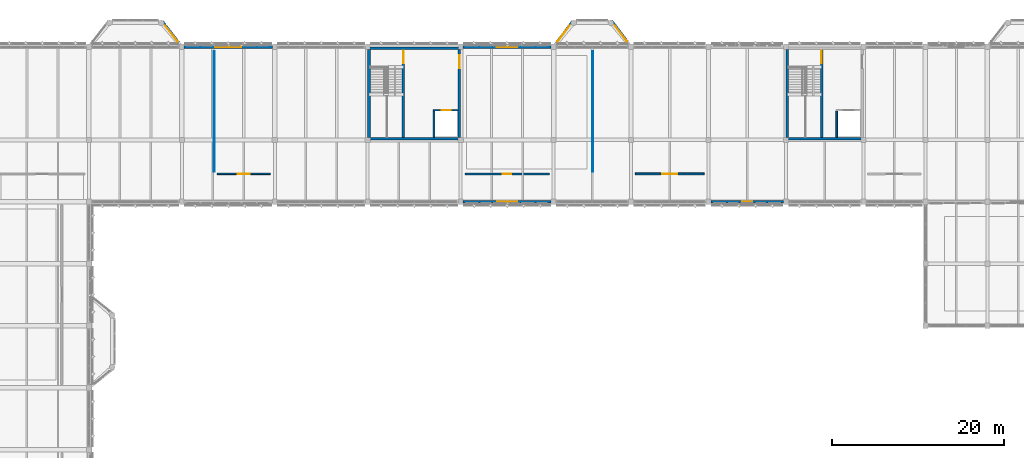
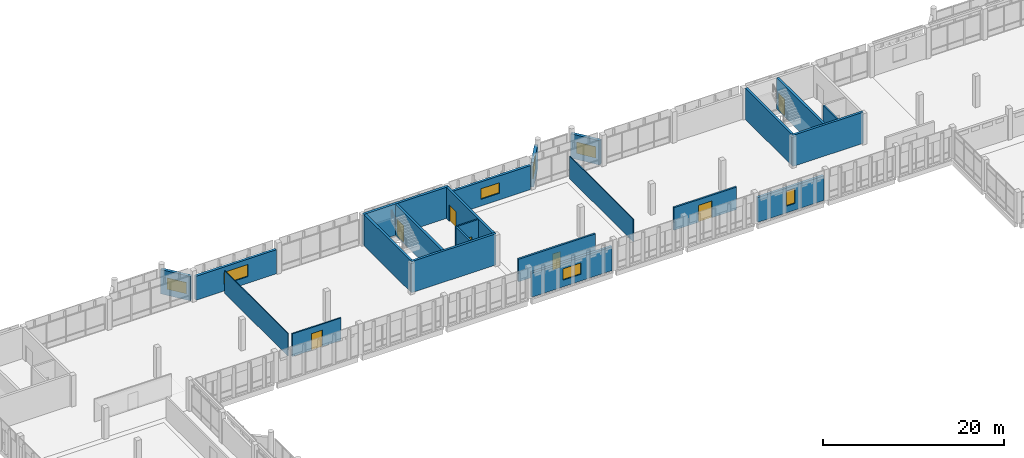
# One storey, part 134 of 158: 23 walls, 7 doors, 7 windows, 14 openings.
"""IFC4 building model written with IfcOpenShell, lengths in metres."""

from ifc_helpers import new_model, si_unit, direction, frame, frame_2d, origin, place, context, subcontext, project, spatial, rectangle, extrude, material, layer, layer_set, type_object, element, fill, save


model = new_model("IFC4")

# Units and contexts
model_context = context("Model", 3, precision=1e-05, world=origin(), true_north=direction((0.0, 1.0)))
body_context = subcontext(model_context, "Body", "Model", "MODEL_VIEW")
ifc_project = project(units=[si_unit("LENGTHUNIT", "METRE"), si_unit("AREAUNIT", "SQUARE_METRE"), si_unit("VOLUMEUNIT", "CUBIC_METRE"), si_unit("PLANEANGLEUNIT", "RADIAN"), si_unit("MASSUNIT", "GRAM", prefix="KILO")], contexts=[model_context])

# Site, building, storey
site_placement = place(None, origin())
site = spatial("IfcSite", under=ifc_project, at=site_placement, CompositionType="ELEMENT")
building_placement = place(site_placement, origin())
building = spatial("IfcBuilding", under=site, at=building_placement, Name="Lusvemor Sports Hall", CompositionType="ELEMENT")
storey_placement = place(building_placement, frame((0.0, 0.0, 10.800048828125)))
storey = spatial("IfcBuildingStorey", under=building, at=storey_placement, Name="L02", CompositionType="ELEMENT", Elevation=10.800048828125)

# Wall, opening, window
ifc_material_1 = material(Name="Emerald polychrome glazed ceramic cladding on Concrete C40/50 backing", Category="concrete")
ifc_layer_1 = layer(ifc_material_1, 0.364990234375)
ifc_layer_set_1 = layer_set([ifc_layer_1], Name="Emerald polychrome glazed ceramic cladding on Concrete C40/50 backing")
wall_type_1 = type_object("IfcWallType", Name="EW_WAVE_CER_365", PredefinedType="STANDARD", material=ifc_layer_set_1)
wall_1_placement = place(storey_placement, frame((30.073486328125, 118.205078125, 0.0), z_axis=(0.0, 0.0, 1.0), x_axis=(0.612206385164, -0.790698009334, 0.0)))
wall_1 = element("IfcWall", 1, at=wall_1_placement, inside=storey, type_object=wall_type_1, Name="Art Nouveau Bow Wall EW-BOW-N1-L02-3", PredefinedType="STANDARD", context=body_context, shape_type="SweptSolid", body=[
    extrude(rectangle(XDim=3.560302734375, YDim=0.364990234375, at=frame_2d((1.7802734375, 0.0))), origin(), (0.0, 0.0, 1.0), 3.280029296875),
])
opening_1_placement = place(wall_1_placement, frame((0.679931640625, 0.0, 0.699951171875)))
opening_1 = element("IfcOpeningElement", 2, at=opening_1_placement, cuts=wall_1, Name="Opening WN21", PredefinedType="OPENING", context=body_context, shape_type="SweptSolid", body=[
    extrude(rectangle(XDim=2.320068359375, YDim=1.52001953125, at=frame_2d((1.16015625, 0.760009765625))), frame((0.0, 0.1826171875, 0.0), z_axis=(0.0, -1.0, 0.0), x_axis=(1.0, 0.0, 0.0)), (0.0, 0.0, 1.0), 0.364990234375),
])
ifc_material_2 = material(Name="Solar-control laminated double glazing", Category="glass")
window_type_1 = type_object("IfcWindowType", Name="WIN_21", PartitioningType="SINGLE_PANEL", PredefinedType="WINDOW", material=ifc_material_2)
window_1_placement = place(opening_1_placement, origin())
window_1 = element("IfcWindow", 3, at=window_1_placement, inside=storey, type_object=window_type_1, Name="Art Nouveau Bow Window BOW-N1 L02-3", OverallHeight=1.52001953125, OverallWidth=2.320068359375, PartitioningType="SINGLE_PANEL", PredefinedType="WINDOW", context=body_context, shape_type="SweptSolid", body=[
    extrude(rectangle(XDim=2.320068359375, YDim=1.52001953125, at=frame_2d((1.16015625, 0.760009765625))), frame((0.0, 0.030029296875, 0.0), z_axis=(0.0, -1.0, 0.0), x_axis=(1.0, 0.0, 0.0)), (0.0, 0.0, 1.0), 0.06005859375),
])
fill(opening_1, window_1)

wall_2_placement = place(storey_placement, frame((75.74462890625, 115.3916015625, 0.0), z_axis=(0.0, 0.0, 1.0), x_axis=(0.60248019286, 0.798133834148, 0.0)))
wall_2 = element("IfcWall", 4, at=wall_2_placement, inside=storey, type_object=wall_type_1, Name="Art Nouveau Bow Wall EW-BOW-N2-L02-1", PredefinedType="STANDARD", context=body_context, shape_type="SweptSolid", body=[
    extrude(rectangle(XDim=3.52392578125, YDim=0.364990234375, at=frame_2d((1.761962890625, 0.0))), origin(), (0.0, 0.0, 1.0), 3.280029296875),
])
opening_2_placement = place(wall_2_placement, frame((0.5419921875, 0.0, 0.699951171875)))
opening_2 = element("IfcOpeningElement", 5, at=opening_2_placement, cuts=wall_2, Name="Opening WN21", PredefinedType="OPENING", context=body_context, shape_type="SweptSolid", body=[
    extrude(rectangle(XDim=2.320068359375, YDim=1.52001953125, at=frame_2d((1.16015625, 0.760009765625))), frame((0.0, 0.1826171875, 0.0), z_axis=(0.0, -1.0, 0.0), x_axis=(1.0, 0.0, 0.0)), (0.0, 0.0, 1.0), 0.364990234375),
])
window_2_placement = place(opening_2_placement, origin())
window_2 = element("IfcWindow", 6, at=window_2_placement, inside=storey, type_object=window_type_1, Name="Art Nouveau Bow Window BOW-N2 L02-1", OverallHeight=1.52001953125, OverallWidth=2.320068359375, PartitioningType="SINGLE_PANEL", PredefinedType="WINDOW", context=body_context, shape_type="SweptSolid", body=[
    extrude(rectangle(XDim=2.320068359375, YDim=1.52001953125, at=frame_2d((1.16015625, 0.760009765625))), frame((0.0, 0.030029296875, 0.0), z_axis=(0.0, -1.0, 0.0), x_axis=(1.0, 0.0, 0.0)), (0.0, 0.0, 1.0), 0.06005859375),
])
fill(opening_2, window_2)

wall_3_placement = place(storey_placement, frame((82.332275390625, 118.2041015625, 0.0), z_axis=(0.0, 0.0, 1.0), x_axis=(0.60248019286, -0.798133834148, 0.0)))
wall_3 = element("IfcWall", 7, at=wall_3_placement, inside=storey, type_object=wall_type_1, Name="Art Nouveau Bow Wall EW-BOW-N2-L02-3", PredefinedType="STANDARD", context=body_context, shape_type="SweptSolid", body=[
    extrude(rectangle(XDim=3.52392578125, YDim=0.364990234375, at=frame_2d((1.761962890625, 0.0))), origin(), (0.0, 0.0, 1.0), 3.280029296875),
])
opening_3_placement = place(wall_3_placement, frame((0.662109375, 0.0, 0.699951171875)))
opening_3 = element("IfcOpeningElement", 8, at=opening_3_placement, cuts=wall_3, Name="Opening WN21", PredefinedType="OPENING", context=body_context, shape_type="SweptSolid", body=[
    extrude(rectangle(XDim=2.320068359375, YDim=1.52001953125, at=frame_2d((1.16015625, 0.760009765625))), frame((0.0, 0.1826171875, 0.0), z_axis=(0.0, -1.0, 0.0), x_axis=(1.0, 0.0, 0.0)), (0.0, 0.0, 1.0), 0.364990234375),
])
window_3_placement = place(opening_3_placement, origin())
window_3 = element("IfcWindow", 9, at=window_3_placement, inside=storey, type_object=window_type_1, Name="Art Nouveau Bow Window BOW-N2 L02-3", OverallHeight=1.52001953125, OverallWidth=2.320068359375, PartitioningType="SINGLE_PANEL", PredefinedType="WINDOW", context=body_context, shape_type="SweptSolid", body=[
    extrude(rectangle(XDim=2.320068359375, YDim=1.52001953125, at=frame_2d((1.16015625, 0.760009765625))), frame((0.0, 0.030029296875, 0.0), z_axis=(0.0, -1.0, 0.0), x_axis=(1.0, 0.0, 0.0)), (0.0, 0.0, 1.0), 0.06005859375),
])
fill(opening_3, window_3)

ifc_material_3 = material(Name="Warm terracotta Art Nouveau ceramic cladding on Concrete C40/50 backing", Category="masonry")
ifc_layer_2 = layer(ifc_material_3, 0.31494140625)
ifc_layer_set_2 = layer_set([ifc_layer_2], Name="Warm terracotta Art Nouveau ceramic cladding on Concrete C40/50 backing")
wall_type_2 = type_object("IfcWallType", Name="EW_WING_CAV_315", PredefinedType="STANDARD", material=ifc_layer_set_2)
wall_4_placement = place(storey_placement, frame((32.676025390625, 115.199951171875, 0.0), z_axis=(0.0, 0.0, 1.0), x_axis=(1.0, 0.0, 0.0)))
wall_4 = element("IfcWall", 10, at=wall_4_placement, inside=storey, type_object=wall_type_2, Name="Exterior Wall EW-L02-N-1-3", PredefinedType="STANDARD", context=body_context, shape_type="SweptSolid", body=[
    extrude(rectangle(XDim=10.248046875, YDim=0.31494140625, at=frame_2d((5.1240234375, 0.0))), origin(), (0.0, 0.0, 1.0), 3.244873046875),
])
opening_4_placement = place(wall_4_placement, frame((3.59912109375, 0.0, 0.89990234375)))
opening_4 = element("IfcOpeningElement", 11, at=opening_4_placement, cuts=wall_4, Name="Opening WN16", PredefinedType="OPENING", context=body_context, shape_type="SweptSolid", body=[
    extrude(rectangle(XDim=3.050048828125, YDim=1.6201171875, at=frame_2d((1.52490234375, 0.81005859375))), frame((0.0, 0.157470703125, 0.0), z_axis=(0.0, -1.0, 0.0), x_axis=(1.0, 0.0, 0.0)), (0.0, 0.0, 1.0), 0.31494140625),
])
ifc_material_4 = material(Name="Solar-control laminated double glazing", Category="glass")
window_type_2 = type_object("IfcWindowType", Name="WIN_16", PartitioningType="SINGLE_PANEL", PredefinedType="WINDOW", material=ifc_material_4)
window_4_placement = place(opening_4_placement, origin())
window_4 = element("IfcWindow", 12, at=window_4_placement, inside=storey, type_object=window_type_2, Name="Wing Window L02-N-1-3", OverallHeight=1.6201171875, OverallWidth=3.050048828125, PartitioningType="SINGLE_PANEL", PredefinedType="WINDOW", context=body_context, shape_type="SweptSolid", body=[
    extrude(rectangle(XDim=3.050048828125, YDim=1.6201171875, at=frame_2d((1.52490234375, 0.81005859375))), frame((0.0, 0.030029296875, 0.0), z_axis=(0.0, -1.0, 0.0), x_axis=(1.0, 0.0, 0.0)), (0.0, 0.0, 1.0), 0.06005859375),
])
fill(opening_4, window_4)

wall_5_placement = place(storey_placement, frame((65.075927734375, 115.199951171875, 0.0), z_axis=(0.0, 0.0, 1.0), x_axis=(1.0, 0.0, 0.0)))
wall_5 = element("IfcWall", 13, at=wall_5_placement, inside=storey, type_object=wall_type_2, Name="Exterior Wall EW-L02-N-1-6", PredefinedType="STANDARD", context=body_context, shape_type="SweptSolid", body=[
    extrude(rectangle(XDim=10.248046875, YDim=0.31494140625, at=frame_2d((5.1240234375, 0.0))), origin(), (0.0, 0.0, 1.0), 3.244873046875),
])
opening_5_placement = place(wall_5_placement, frame((3.93408203125, 0.0, 0.89990234375)))
opening_5 = element("IfcOpeningElement", 14, at=opening_5_placement, cuts=wall_5, Name="Opening WN19", PredefinedType="OPENING", context=body_context, shape_type="SweptSolid", body=[
    extrude(rectangle(XDim=2.3798828125, YDim=1.419921875, at=frame_2d((1.18994140625, 0.7099609375))), frame((0.0, 0.157470703125, 0.0), z_axis=(0.0, -1.0, 0.0), x_axis=(1.0, 0.0, 0.0)), (0.0, 0.0, 1.0), 0.31494140625),
])
ifc_material_5 = material(Name="Solar-control laminated double glazing", Category="glass")
window_type_3 = type_object("IfcWindowType", Name="WIN_19", PartitioningType="SINGLE_PANEL", PredefinedType="WINDOW", material=ifc_material_5)
window_5_placement = place(opening_5_placement, origin())
window_5 = element("IfcWindow", 15, at=window_5_placement, inside=storey, type_object=window_type_3, Name="Wing Window L02-N-1-6", OverallHeight=1.419921875, OverallWidth=2.3798828125, PartitioningType="SINGLE_PANEL", PredefinedType="WINDOW", context=body_context, shape_type="SweptSolid", body=[
    extrude(rectangle(XDim=2.3798828125, YDim=1.419921875, at=frame_2d((1.18994140625, 0.7099609375))), frame((0.0, 0.030029296875, 0.0), z_axis=(0.0, -1.0, 0.0), x_axis=(1.0, 0.0, 0.0)), (0.0, 0.0, 1.0), 0.06005859375),
])
fill(opening_5, window_5)

wall_6_placement = place(storey_placement, frame((75.323974609375, 97.199951171875, 0.0), z_axis=(0.0, 0.0, 1.0), x_axis=(-1.0, 0.0, 0.0)))
wall_6 = element("IfcWall", 16, at=wall_6_placement, inside=storey, type_object=wall_type_2, Name="Exterior Wall EW-L02-S-3-4", PredefinedType="STANDARD", context=body_context, shape_type="SweptSolid", body=[
    extrude(rectangle(XDim=10.248046875, YDim=0.31494140625, at=frame_2d((5.1240234375, 0.0))), origin(), (0.0, 0.0, 1.0), 3.244873046875),
])
opening_6_placement = place(wall_6_placement, frame((3.964111328125, 0.0, 0.89990234375)))
opening_6 = element("IfcOpeningElement", 17, at=opening_6_placement, cuts=wall_6, Name="Opening WN21", PredefinedType="OPENING", context=body_context, shape_type="SweptSolid", body=[
    extrude(rectangle(XDim=2.320068359375, YDim=1.52001953125, at=frame_2d((1.16015625, 0.760009765625))), frame((0.0, 0.157470703125, 0.0), z_axis=(0.0, -1.0, 0.0), x_axis=(1.0, 0.0, 0.0)), (0.0, 0.0, 1.0), 0.31494140625),
])
window_6_placement = place(opening_6_placement, origin())
window_6 = element("IfcWindow", 18, at=window_6_placement, inside=storey, type_object=window_type_1, Name="Wing Window L02-S-3-4", OverallHeight=1.52001953125, OverallWidth=2.320068359375, PartitioningType="SINGLE_PANEL", PredefinedType="WINDOW", context=body_context, shape_type="SweptSolid", body=[
    extrude(rectangle(XDim=2.320068359375, YDim=1.52001953125, at=frame_2d((1.16015625, 0.760009765625))), frame((0.0, 0.030029296875, 0.0), z_axis=(0.0, -1.0, 0.0), x_axis=(1.0, 0.0, 0.0)), (0.0, 0.0, 1.0), 0.06005859375),
])
fill(opening_6, window_6)

wall_7_placement = place(storey_placement, frame((102.323974609375, 97.199951171875, 0.0), z_axis=(0.0, 0.0, 1.0), x_axis=(-1.0, 0.0, 0.0)))
wall_7 = element("IfcWall", 19, at=wall_7_placement, inside=storey, type_object=wall_type_2, Name="Exterior Wall EW-L02-S-3-7", PredefinedType="STANDARD", context=body_context, shape_type="SweptSolid", body=[
    extrude(rectangle(XDim=8.447998046875, YDim=0.31494140625, at=frame_2d((4.22412109375, 0.0))), origin(), (0.0, 0.0, 1.0), 3.3349609375),
])
opening_7_placement = place(wall_7_placement, frame((3.6640625, 0.0, 0.89990234375)))
opening_7 = element("IfcOpeningElement", 20, at=opening_7_placement, cuts=wall_7, Name="Opening WN24", PredefinedType="OPENING", context=body_context, shape_type="SweptSolid", body=[
    extrude(rectangle(XDim=1.1201171875, YDim=2.02001953125, at=frame_2d((0.56005859375, 1.010009765625))), frame((0.0, 0.157470703125, 0.0), z_axis=(0.0, -1.0, 0.0), x_axis=(1.0, 0.0, 0.0)), (0.0, 0.0, 1.0), 0.31494140625),
])
ifc_material_6 = material(Name="Solar-control laminated double glazing", Category="glass")
window_type_4 = type_object("IfcWindowType", Name="WIN_24", PartitioningType="SINGLE_PANEL", PredefinedType="WINDOW", material=ifc_material_6)
window_7_placement = place(opening_7_placement, origin())
window_7 = element("IfcWindow", 21, at=window_7_placement, inside=storey, type_object=window_type_4, Name="Wing Window L02-S-3-7", OverallHeight=2.02001953125, OverallWidth=1.1201171875, PartitioningType="SINGLE_PANEL", PredefinedType="WINDOW", context=body_context, shape_type="SweptSolid", body=[
    extrude(rectangle(XDim=1.1201171875, YDim=2.02001953125, at=frame_2d((0.56005859375, 1.010009765625))), frame((0.0, 0.030029296875, 0.0), z_axis=(0.0, -1.0, 0.0), x_axis=(1.0, 0.0, 0.0)), (0.0, 0.0, 1.0), 0.06005859375),
])
fill(opening_7, window_7)

# Wall, opening, door
ifc_material_7 = material(Name="Plastered ceramic masonry blockwork", Category="masonry")
ifc_layer_3 = layer(ifc_material_7, 0.219970703125)
ifc_layer_set_3 = layer_set([ifc_layer_3], Name="Plastered ceramic masonry blockwork")
wall_type_3 = type_object("IfcWallType", Name="IW_COMP_224", PredefinedType="STANDARD", material=ifc_layer_set_3)
wall_8_placement = place(storey_placement, frame((85.10009765625, 100.449951171875, 0.0), z_axis=(0.0, 0.0, 1.0), x_axis=(1.0, 0.0, 0.0)))
wall_8 = element("IfcWall", 22, at=wall_8_placement, inside=storey, type_object=wall_type_3, Name="Partition IW-L02-CNN-STR2", PredefinedType="STANDARD", context=body_context, shape_type="SweptSolid", body=[
    extrude(rectangle(XDim=8.0, YDim=0.219970703125, at=frame_2d((4.0, 0.0))), origin(), (0.0, 0.0, 1.0), 3.0400390625),
])
opening_8_placement = place(wall_8_placement, frame((3.14990234375, 0.0, 0.0)))
opening_8 = element("IfcOpeningElement", 23, at=opening_8_placement, cuts=wall_8, Name="Opening DR-FD60-03", PredefinedType="OPENING", context=body_context, shape_type="SweptSolid", body=[
    extrude(rectangle(XDim=1.699951171875, YDim=2.260009765625, at=frame_2d((0.85009765625, 1.1298828125))), frame((0.0, 0.10986328125, 0.0), z_axis=(0.0, -1.0, 0.0), x_axis=(1.0, 0.0, 0.0)), (0.0, 0.0, 1.0), 0.219970703125),
])
ifc_material_8 = material(Name="Fire-rated insulated painted steel door assembly", Category="steel")
door_type_1 = type_object("IfcDoorType", Name="IDR_STORE_FD60_170", OperationType="NOTDEFINED", PredefinedType="DOOR", material=ifc_material_8)
door_1_placement = place(opening_8_placement, origin())
door_1 = element("IfcDoor", 24, at=door_1_placement, inside=storey, type_object=door_type_1, Name="DR-195", OperationType="SINGLE_SWING_LEFT", OverallHeight=2.260009765625, OverallWidth=1.699951171875, PredefinedType="DOOR", context=body_context, shape_type="SweptSolid", body=[
    extrude(rectangle(XDim=1.699951171875, YDim=2.260009765625, at=frame_2d((0.85009765625, 1.1298828125))), frame((0.0, 0.02490234375, 0.0), z_axis=(0.0, -1.0, 0.0), x_axis=(1.0, 0.0, 0.0)), (0.0, 0.0, 1.0), 0.050048828125),
])
fill(opening_8, door_1)

ifc_material_9 = material(Name="Double-leaf acoustic gypsum board on metal studs")
ifc_layer_4 = layer(ifc_material_9, 0.169921875)
ifc_layer_set_4 = layer_set([ifc_layer_4], Name="Double-leaf acoustic gypsum board on metal studs")
wall_type_4 = type_object("IfcWallType", Name="IW_CORR_168", PredefinedType="STANDARD", material=ifc_layer_set_4)
wall_9_placement = place(storey_placement, frame((36.5, 100.449951171875, 0.0), z_axis=(0.0, 0.0, 1.0), x_axis=(1.0, 0.0, 0.0)))
wall_9 = element("IfcWall", 25, at=wall_9_placement, inside=storey, type_object=wall_type_4, Name="Partition IW-L02-CNN-SEM2", PredefinedType="STANDARD", context=body_context, shape_type="SweptSolid", body=[
    extrude(rectangle(XDim=6.199951171875, YDim=0.169921875, at=frame_2d((3.10009765625, 0.0))), origin(), (0.0, 0.0, 1.0), 3.0400390625),
])
opening_9_placement = place(wall_9_placement, frame((2.39990234375, 0.0, 0.0)))
opening_9 = element("IfcOpeningElement", 26, at=opening_9_placement, cuts=wall_9, Name="Opening ID14", PredefinedType="OPENING", context=body_context, shape_type="SweptSolid", body=[
    extrude(rectangle(XDim=1.39990234375, YDim=2.219970703125, at=frame_2d((0.699951171875, 1.10986328125))), frame((0.0, 0.0849609375, 0.0), z_axis=(0.0, -1.0, 0.0), x_axis=(1.0, 0.0, 0.0)), (0.0, 0.0, 1.0), 0.169921875),
])
ifc_material_10 = material(Name="Acoustic solid-core hardwood door leaf in steel frame", Category="steel")
door_type_2 = type_object("IfcDoorType", Name="IDR_SEMINAR_140", OperationType="NOTDEFINED", PredefinedType="DOOR", material=ifc_material_10)
door_2_placement = place(opening_9_placement, origin())
door_2 = element("IfcDoor", 27, at=door_2_placement, inside=storey, type_object=door_type_2, Name="DR-193", OperationType="SINGLE_SWING_LEFT", OverallHeight=2.219970703125, OverallWidth=1.39990234375, PredefinedType="DOOR", context=body_context, shape_type="SweptSolid", body=[
    extrude(rectangle(XDim=1.39990234375, YDim=2.219970703125, at=frame_2d((0.699951171875, 1.10986328125))), frame((0.0, 0.02490234375, 0.0), z_axis=(0.0, -1.0, 0.0), x_axis=(1.0, 0.0, 0.0)), (0.0, 0.0, 1.0), 0.050048828125),
])
fill(opening_9, door_2)

# Walls
ifc_material_11 = material(Name="Double-leaf acoustic gypsum board on metal studs")
ifc_layer_5 = layer(ifc_material_11, 0.10009765625)
ifc_layer_set_5 = layer_set([ifc_layer_5], Name="Double-leaf acoustic gypsum board on metal studs")
wall_type_5 = type_object("IfcWallType", Name="IW_PART_108", PredefinedType="STANDARD", material=ifc_layer_set_5)
for number, where, z_axis, x_axis, name in (
    (28, (36.14990234375, 100.699951171875, 0.0), (0.0, 0.0, 1.0), (0.0, 1.0, 0.0), "Partition IW-L02-CNNDIV-36"),
    (29, (80.14990234375, 100.699951171875, 0.0), (0.0, 0.0, 1.0), (0.0, 1.0, 0.0), "Partition IW-L02-CNNDIV-80"),
):
    element("IfcWall", number, at=place(storey_placement, frame(where, z_axis=z_axis, x_axis=x_axis)), inside=storey, type_object=wall_type_5, Name=name, PredefinedType="STANDARD", context=body_context, shape_type="SweptSolid", body=[
        extrude(rectangle(XDim=14.0, YDim=0.10009765625, at=frame_2d((7.0, 0.0))), origin(), (0.0, 0.0, 1.0), 3.0400390625),
    ])

# Wall, opening, door
ifc_material_12 = material(Name="Concrete C40/50", Category="concrete")
ifc_layer_6 = layer(ifc_material_12, 0.2099609375)
ifc_layer_set_6 = layer_set([ifc_layer_6], Name="Concrete C40/50")
wall_type_6 = type_object("IfcWallType", Name="IW_SHFT_212", PredefinedType="STANDARD", material=ifc_layer_set_6)
wall_10_placement = place(storey_placement, frame((61.590087890625, 107.85009765625, 0.0), z_axis=(0.0, 0.0, 1.0), x_axis=(1.0, 0.0, 0.0)))
wall_10 = element("IfcWall", 30, at=wall_10_placement, inside=storey, type_object=wall_type_6, Name="Lift LP-01 Shaft Front Wall (L02)", PredefinedType="STANDARD", context=body_context, shape_type="SweptSolid", body=[
    extrude(rectangle(XDim=2.909912109375, YDim=0.2099609375, at=frame_2d((1.455078125, 0.0))), origin(), (0.0, 0.0, 1.0), 4.199951171875),
])
opening_10_placement = place(wall_10_placement, frame((0.989990234375, 0.0, 0.0)))
opening_10 = element("IfcOpeningElement", 31, at=opening_10_placement, cuts=wall_10, Name="Opening LD-02", PredefinedType="OPENING", context=body_context, shape_type="SweptSolid", body=[
    extrude(rectangle(XDim=1.0400390625, YDim=2.159912109375, at=frame_2d((0.52001953125, 1.080078125))), frame((0.0, 0.10498046875, 0.0), z_axis=(0.0, -1.0, 0.0), x_axis=(1.0, 0.0, 0.0)), (0.0, 0.0, 1.0), 0.2099609375),
])
ifc_material_13 = material(Name="Brushed stainless-steel sliding lift landing door", Category="steel")
door_type_3 = type_object("IfcDoorType", Name="LIFT_DOOR_PAX_104", OperationType="NOTDEFINED", PredefinedType="DOOR", material=ifc_material_13)
door_3_placement = place(opening_10_placement, origin())
door_3 = element("IfcDoor", 32, at=door_3_placement, inside=storey, type_object=door_type_3, Name="DR-054", OperationType="SLIDING_TO_LEFT", OverallHeight=2.159912109375, OverallWidth=1.0400390625, PredefinedType="DOOR", context=body_context, shape_type="SweptSolid", body=[
    extrude(rectangle(XDim=1.0400390625, YDim=2.159912109375, at=frame_2d((0.52001953125, 1.080078125))), frame((0.0, 0.02490234375, 0.0), z_axis=(0.0, -1.0, 0.0), x_axis=(1.0, 0.0, 0.0)), (0.0, 0.0, 1.0), 0.050048828125),
])
fill(opening_10, door_3)

# Walls
for number, where, z_axis, x_axis, name in (
    (33, (61.695068359375, 104.699951171875, 0.0), (0.0, 0.0, 1.0), (0.0, 1.0, 0.0), "Lift LP-01 Shaft Side Wall (L02)"),
    (34, (108.4951171875, 104.699951171875, 0.0), (0.0, 0.0, 1.0), (0.0, 1.0, 0.0), "Lift LF-02 Shaft Side Wall (L02)"),
):
    element("IfcWall", number, at=place(storey_placement, frame(where, z_axis=z_axis, x_axis=x_axis)), inside=storey, type_object=wall_type_6, Name=name, PredefinedType="STANDARD", context=body_context, shape_type="SweptSolid", body=[
        extrude(rectangle(XDim=3.045166015625, YDim=0.2099609375, at=frame_2d((1.5224609375, 0.0))), origin(), (0.0, 0.0, 1.0), 4.199951171875),
    ])

# Wall, opening, door
ifc_material_14 = material(Name="Moisture-resistant tiled plumbing service wall")
ifc_layer_7 = layer(ifc_material_14, 0.239990234375)
ifc_layer_set_7 = layer_set([ifc_layer_7], Name="Moisture-resistant tiled plumbing service wall")
wall_type_7 = type_object("IfcWallType", Name="PW_WET_176", PredefinedType="PLUMBINGWALL", material=ifc_layer_set_7)
wall_11_placement = place(storey_placement, frame((65.300048828125, 100.449951171875, 0.0), z_axis=(0.0, 0.0, 1.0), x_axis=(1.0, 0.0, 0.0)))
wall_11 = element("IfcWall", 35, at=wall_11_placement, inside=storey, type_object=wall_type_7, Name="Partition IW-L02-CNN-AWCN", PredefinedType="PLUMBINGWALL", context=body_context, shape_type="SweptSolid", body=[
    extrude(rectangle(XDim=9.800048828125, YDim=0.239990234375, at=frame_2d((4.89990234375, 0.0))), origin(), (0.0, 0.0, 1.0), 3.0400390625),
])
opening_11_placement = place(wall_11_placement, frame((4.39990234375, 0.0, 0.0)))
opening_11 = element("IfcOpeningElement", 36, at=opening_11_placement, cuts=wall_11, Name="Opening ID11", PredefinedType="OPENING", context=body_context, shape_type="SweptSolid", body=[
    extrude(rectangle(XDim=1.0, YDim=2.14990234375, at=frame_2d((0.5, 1.074951171875))), frame((0.0, 0.1201171875, 0.0), z_axis=(0.0, -1.0, 0.0), x_axis=(1.0, 0.0, 0.0)), (0.0, 0.0, 1.0), 0.239990234375),
])
ifc_material_15 = material(Name="Acoustic solid-core hardwood door leaf in steel frame", Category="steel")
door_type_4 = type_object("IfcDoorType", Name="IDR_AWC_100", OperationType="NOTDEFINED", PredefinedType="DOOR", material=ifc_material_15)
door_4_placement = place(opening_11_placement, origin())
door_4 = element("IfcDoor", 37, at=door_4_placement, inside=storey, type_object=door_type_4, Name="DR-194", OperationType="SINGLE_SWING_RIGHT", OverallHeight=2.14990234375, OverallWidth=1.0, PredefinedType="DOOR", context=body_context, shape_type="SweptSolid", body=[
    extrude(rectangle(XDim=1.0, YDim=2.14990234375, at=frame_2d((0.5, 1.074951171875))), frame((0.0, 0.02490234375, 0.0), z_axis=(0.0, -1.0, 0.0), x_axis=(1.0, 0.0, 0.0)), (0.0, 0.0, 1.0), 0.050048828125),
])
fill(opening_11, door_4)

# Walls
ifc_material_16 = material(Name="Concrete C40/50", Category="concrete")
ifc_layer_8 = layer(ifc_material_16, 0.300048828125)
ifc_layer_set_8 = layer_set([ifc_layer_8], Name="Concrete C40/50")
wall_type_8 = type_object("IfcWallType", Name="WALL_CORE_300_INT", PredefinedType="SHEAR", material=ifc_layer_set_8)
wall_12_placement = place(storey_placement, frame((64.800048828125, 104.550048828125, 0.0), z_axis=(0.0, 0.0, 1.0), x_axis=(-1.0, 0.0, 0.0)))
element("IfcWall", 38, at=wall_12_placement, inside=storey, type_object=wall_type_8, Name="Core C2 North-West-Mid Shear Wall S (L02)", PredefinedType="SHEAR", context=body_context, shape_type="SweptSolid", body=[
    extrude(rectangle(XDim=10.800048828125, YDim=0.300048828125, at=frame_2d((5.39990234375, 0.0))), origin(), (0.0, 0.0, 1.0), 4.199951171875),
])
wall_13_placement = place(storey_placement, frame((54.14990234375, 104.699951171875, 0.0), z_axis=(0.0, 0.0, 1.0), x_axis=(0.0, 1.0, 0.0)))
element("IfcWall", 39, at=wall_13_placement, inside=storey, type_object=wall_type_8, Name="Core C2 North-West-Mid Shear Wall W (L02)", PredefinedType="SHEAR", context=body_context, shape_type="SweptSolid", body=[
    extrude(rectangle(XDim=10.199951171875, YDim=0.300048828125, at=frame_2d((5.10009765625, 0.0))), origin(), (0.0, 0.0, 1.0), 4.199951171875),
])

# Wall, opening, door
wall_14_placement = place(storey_placement, frame((64.64990234375, 114.89990234375, 0.0), z_axis=(0.0, 0.0, 1.0), x_axis=(0.0, -1.0, 0.0)))
wall_14 = element("IfcWall", 40, at=wall_14_placement, inside=storey, type_object=wall_type_8, Name="Core C2 North-West-Mid Shear Wall E (L02)", PredefinedType="SHEAR", context=body_context, shape_type="SweptSolid", body=[
    extrude(rectangle(XDim=10.199951171875, YDim=0.300048828125, at=frame_2d((5.10009765625, 0.0))), origin(), (0.0, 0.0, 1.0), 4.199951171875),
])
opening_12_placement = place(wall_14_placement, frame((0.64990234375, 0.0, 0.0)))
opening_12 = element("IfcOpeningElement", 41, at=opening_12_placement, cuts=wall_14, Name="Opening DR-FD60-01", PredefinedType="OPENING", context=body_context, shape_type="SweptSolid", body=[
    extrude(rectangle(XDim=1.5400390625, YDim=2.219970703125, at=frame_2d((0.77001953125, 1.10986328125))), frame((0.0, 0.14990234375, 0.0), z_axis=(0.0, -1.0, 0.0), x_axis=(1.0, 0.0, 0.0)), (0.0, 0.0, 1.0), 0.300048828125),
])
ifc_material_17 = material(Name="Fire-rated insulated painted steel door assembly", Category="steel")
door_type_5 = type_object("IfcDoorType", Name="IDR_LOBBY_FD60_154", OperationType="NOTDEFINED", PredefinedType="DOOR", material=ifc_material_17)
door_5_placement = place(opening_12_placement, origin())
door_5 = element("IfcDoor", 42, at=door_5_placement, inside=storey, type_object=door_type_5, Name="DR-062", OperationType="SINGLE_SWING_RIGHT", OverallHeight=2.219970703125, OverallWidth=1.5400390625, PredefinedType="DOOR", context=body_context, shape_type="SweptSolid", body=[
    extrude(rectangle(XDim=1.5400390625, YDim=2.219970703125, at=frame_2d((0.77001953125, 1.10986328125))), frame((0.0, 0.02490234375, 0.0), z_axis=(0.0, -1.0, 0.0), x_axis=(1.0, 0.0, 0.0)), (0.0, 0.0, 1.0), 0.050048828125),
])
fill(opening_12, door_5)

wall_15_placement = place(storey_placement, frame((58.14990234375, 104.699951171875, 0.0), z_axis=(0.0, 0.0, 1.0), x_axis=(0.0, 1.0, 0.0)))
wall_15 = element("IfcWall", 43, at=wall_15_placement, inside=storey, type_object=wall_type_8, Name="Core C2 North-West-Mid Shear Wall M (L02)", PredefinedType="SHEAR", context=body_context, shape_type="SweptSolid", body=[
    extrude(rectangle(XDim=10.199951171875, YDim=0.300048828125, at=frame_2d((5.10009765625, 0.0))), origin(), (0.0, 0.0, 1.0), 4.199951171875),
])
opening_13_placement = place(wall_15_placement, frame((8.6298828125, 0.0, 0.0)))
opening_13 = element("IfcOpeningElement", 44, at=opening_13_placement, cuts=wall_15, Name="Opening DR-FD90-01", PredefinedType="OPENING", context=body_context, shape_type="SweptSolid", body=[
    extrude(rectangle(XDim=1.419921875, YDim=2.199951171875, at=frame_2d((0.7099609375, 1.10009765625))), frame((0.0, 0.14990234375, 0.0), z_axis=(0.0, -1.0, 0.0), x_axis=(1.0, 0.0, 0.0)), (0.0, 0.0, 1.0), 0.300048828125),
])
ifc_material_18 = material(Name="Fire-rated insulated painted steel door assembly", Category="steel")
door_type_6 = type_object("IfcDoorType", Name="IDR_STAIR_FD90_142", OperationType="NOTDEFINED", PredefinedType="DOOR", material=ifc_material_18)
door_6_placement = place(opening_13_placement, origin())
door_6 = element("IfcDoor", 45, at=door_6_placement, inside=storey, type_object=door_type_6, Name="DR-061", OperationType="SINGLE_SWING_LEFT", OverallHeight=2.199951171875, OverallWidth=1.419921875, PredefinedType="DOOR", context=body_context, shape_type="SweptSolid", body=[
    extrude(rectangle(XDim=1.419921875, YDim=2.199951171875, at=frame_2d((0.7099609375, 1.10009765625))), frame((0.0, 0.02490234375, 0.0), z_axis=(0.0, -1.0, 0.0), x_axis=(1.0, 0.0, 0.0)), (0.0, 0.0, 1.0), 0.050048828125),
])
fill(opening_13, door_6)

# Walls
wall_16_placement = place(storey_placement, frame((111.60009765625, 104.550048828125, 0.0), z_axis=(0.0, 0.0, 1.0), x_axis=(-1.0, 0.0, 0.0)))
element("IfcWall", 46, at=wall_16_placement, inside=storey, type_object=wall_type_8, Name="Core C4 North-Central Shear Wall S (L02)", PredefinedType="SHEAR", context=body_context, shape_type="SweptSolid", body=[
    extrude(rectangle(XDim=9.0, YDim=0.300048828125, at=frame_2d((4.5, 0.0))), origin(), (0.0, 0.0, 1.0), 4.199951171875),
])
wall_17_placement = place(storey_placement, frame((102.75, 104.699951171875, 0.0), z_axis=(0.0, 0.0, 1.0), x_axis=(0.0, 1.0, 0.0)))
element("IfcWall", 47, at=wall_17_placement, inside=storey, type_object=wall_type_8, Name="Core C4 North-Central Shear Wall W (L02)", PredefinedType="SHEAR", context=body_context, shape_type="SweptSolid", body=[
    extrude(rectangle(XDim=10.199951171875, YDim=0.300048828125, at=frame_2d((5.10009765625, 0.0))), origin(), (0.0, 0.0, 1.0), 4.199951171875),
])

# Wall, opening, door
wall_18_placement = place(storey_placement, frame((106.75, 104.699951171875, 0.0), z_axis=(0.0, 0.0, 1.0), x_axis=(0.0, 1.0, 0.0)))
wall_18 = element("IfcWall", 48, at=wall_18_placement, inside=storey, type_object=wall_type_8, Name="Core C4 North-Central Shear Wall M (L02)", PredefinedType="SHEAR", context=body_context, shape_type="SweptSolid", body=[
    extrude(rectangle(XDim=10.199951171875, YDim=0.300048828125, at=frame_2d((5.10009765625, 0.0))), origin(), (0.0, 0.0, 1.0), 4.199951171875),
])
opening_14_placement = place(wall_18_placement, frame((8.6298828125, 0.0, 0.0)))
opening_14 = element("IfcOpeningElement", 49, at=opening_14_placement, cuts=wall_18, Name="Opening DR-FD90-01", PredefinedType="OPENING", context=body_context, shape_type="SweptSolid", body=[
    extrude(rectangle(XDim=1.419921875, YDim=2.199951171875, at=frame_2d((0.7099609375, 1.10009765625))), frame((0.0, 0.14990234375, 0.0), z_axis=(0.0, -1.0, 0.0), x_axis=(1.0, 0.0, 0.0)), (0.0, 0.0, 1.0), 0.300048828125),
])
door_7_placement = place(opening_14_placement, origin())
door_7 = element("IfcDoor", 50, at=door_7_placement, inside=storey, type_object=door_type_6, Name="DR-092", OperationType="SINGLE_SWING_RIGHT", OverallHeight=2.199951171875, OverallWidth=1.419921875, PredefinedType="DOOR", context=body_context, shape_type="SweptSolid", body=[
    extrude(rectangle(XDim=1.419921875, YDim=2.199951171875, at=frame_2d((0.7099609375, 1.10009765625))), frame((0.0, 0.02490234375, 0.0), z_axis=(0.0, -1.0, 0.0), x_axis=(1.0, 0.0, 0.0)), (0.0, 0.0, 1.0), 0.050048828125),
])
fill(opening_14, door_7)

# Wall
ifc_material_19 = material(Name="Concrete C40/50", Category="concrete")
ifc_layer_9 = layer(ifc_material_19, 0.324951171875)
ifc_layer_set_9 = layer_set([ifc_layer_9], Name="Concrete C40/50")
wall_type_9 = type_object("IfcWallType", Name="WALL_CORE_325_EXT", PredefinedType="SHEAR", material=ifc_layer_set_9)
wall_19_placement = place(storey_placement, frame((54.0, 115.050048828125, 0.0), z_axis=(0.0, 0.0, 1.0), x_axis=(1.0, 0.0, 0.0)))
element("IfcWall", 51, at=wall_19_placement, inside=storey, type_object=wall_type_9, Name="Core C2 North-West-Mid Shear Wall N (L02)", PredefinedType="SHEAR", context=body_context, shape_type="SweptSolid", body=[
    extrude(rectangle(XDim=10.800048828125, YDim=0.324951171875, at=frame_2d((5.39990234375, 0.0))), origin(), (0.0, 0.0, 1.0), 4.199951171875),
])

save(model, "model.ifc")
